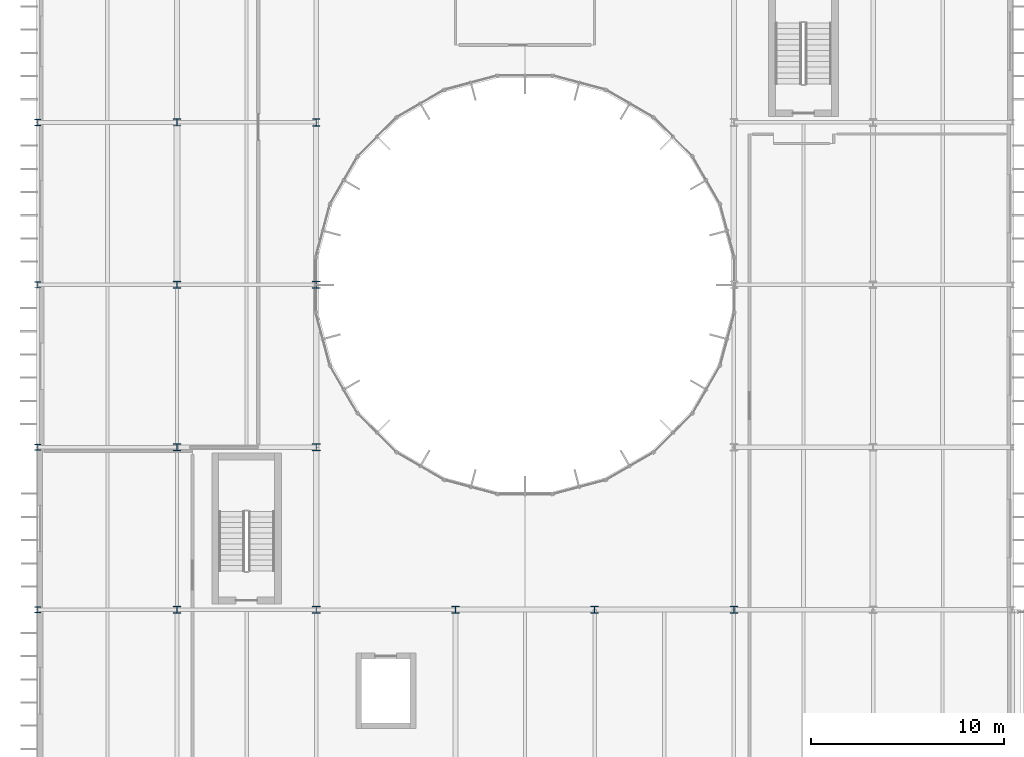
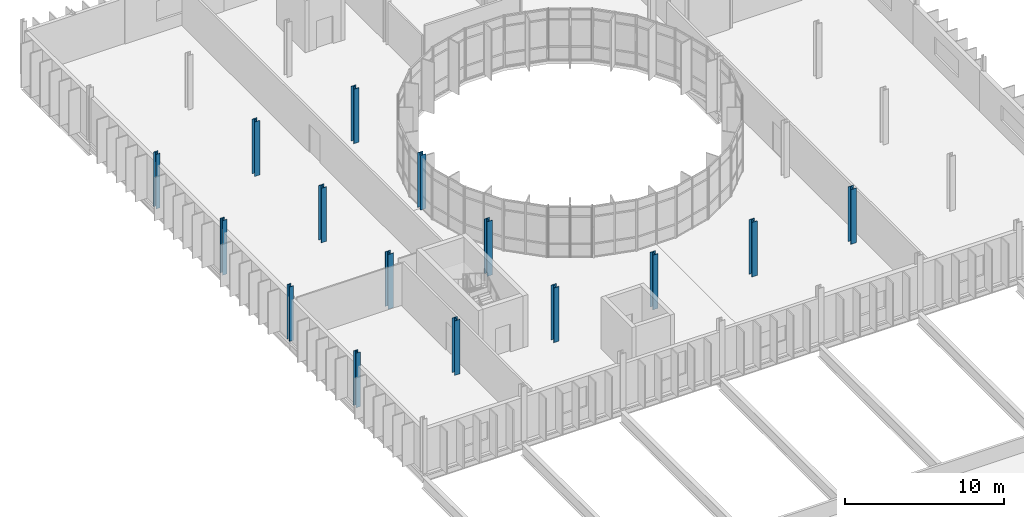
# One storey, part 13 of 119: 15 columns.
"""IFC4 building model written with IfcOpenShell, lengths in metres."""

from ifc_helpers import new_model, si_unit, direction, frame, origin, origin_2d, place, context, subcontext, project, spatial, i_section, extrude, material, material_profile, profile_set, type_object, element, save


model = new_model("IFC4")

# Units and contexts
model_context = context("Model", 3, precision=1e-05, world=origin(), true_north=direction((0.0, 1.0)))
body_context = subcontext(model_context, "Body", "Model", "MODEL_VIEW")
ifc_project = project(units=[si_unit("LENGTHUNIT", "METRE"), si_unit("AREAUNIT", "SQUARE_METRE"), si_unit("VOLUMEUNIT", "CUBIC_METRE"), si_unit("PLANEANGLEUNIT", "RADIAN"), si_unit("MASSUNIT", "GRAM", prefix="KILO")], contexts=[model_context])

# Site, building, storey
site_placement = place(None, origin())
site = spatial("IfcSite", under=ifc_project, at=site_placement, CompositionType="ELEMENT")
building_placement = place(site_placement, origin())
building = spatial("IfcBuilding", under=site, at=building_placement, Name="Qelthora Terrace Specialist Clinic", CompositionType="ELEMENT")
storey_placement = place(building_placement, frame((0.0, 0.0, 4.800048828125)))
storey = spatial("IfcBuildingStorey", under=building, at=storey_placement, Name="L01", CompositionType="ELEMENT", Elevation=4.800048828125)

# Columns
ifc_material = material(Name="Steel S355", Category="steel")
ifc_material_profile_1 = material_profile(ifc_material, i_section(OverallWidth=0.30810546875, OverallDepth=0.318115234375, WebThickness=0.01318359375, FlangeThickness=0.0205078125, FilletRadius=0.01611328125, at=origin_2d()), Name="W310X129")
ifc_profile_set_1 = profile_set([ifc_material_profile_1], Name="Steel S355")
column_type_1 = type_object("IfcColumnType", Name="COL-W310X129", PredefinedType="COLUMN", material=ifc_profile_set_1)
for number, where, z_axis, x_axis, name in (
    (1, (0.0, 67.199951171875, 0.0), (0.0, 0.0, 1.0), (1.0, 0.0, 0.0), "Column L01-009"),
    (2, (0.0, 84.0, 0.0), (0.0, 0.0, 1.0), (1.0, 0.0, 0.0), "Column L01-011"),
):
    element("IfcColumn", number, at=place(storey_placement, frame(where, z_axis=z_axis, x_axis=x_axis)), inside=storey, type_object=column_type_1, Name=name, PredefinedType="COLUMN", context=body_context, shape_type="SweptSolid", body=[
        extrude(i_section(OverallWidth=0.30810546875, OverallDepth=0.318115234375, WebThickness=0.01318359375, FlangeThickness=0.0205078125, FilletRadius=0.01611328125, at=origin_2d()), origin(), (0.0, 0.0, 1.0), 4.199951171875),
    ])
ifc_material_profile_2 = material_profile(ifc_material, i_section(OverallWidth=0.30908203125, OverallDepth=0.322998046875, WebThickness=0.013916015625, FlangeThickness=0.02294921875, FilletRadius=0.01611328125, at=origin_2d()), Name="W310X143")
ifc_profile_set_2 = profile_set([ifc_material_profile_2], Name="Steel S355")
column_type_2 = type_object("IfcColumnType", Name="COL-W310X143", PredefinedType="COLUMN", material=ifc_profile_set_2)
for number, where, z_axis, x_axis, name in (
    (3, (0.0, 75.60009765625, 0.0), (0.0, 0.0, 1.0), (1.0, 0.0, 0.0), "Column L01-010"),
    (4, (0.0, 92.39990234375, 0.0), (0.0, 0.0, 1.0), (1.0, 0.0, 0.0), "Column L01-012"),
):
    element("IfcColumn", number, at=place(storey_placement, frame(where, z_axis=z_axis, x_axis=x_axis)), inside=storey, type_object=column_type_2, Name=name, PredefinedType="COLUMN", context=body_context, shape_type="SweptSolid", body=[
        extrude(i_section(OverallWidth=0.30908203125, OverallDepth=0.322998046875, WebThickness=0.013916015625, FlangeThickness=0.02294921875, FilletRadius=0.01611328125, at=origin_2d()), origin(), (0.0, 0.0, 1.0), 4.199951171875),
    ])
ifc_material_profile_3 = material_profile(ifc_material, i_section(OverallWidth=0.37109375, OverallDepth=0.364013671875, WebThickness=0.01318359375, FlangeThickness=0.021728515625, FilletRadius=0.02001953125, at=origin_2d()), Name="W360X162")
ifc_profile_set_3 = profile_set([ifc_material_profile_3], Name="Steel S355")
column_type_3 = type_object("IfcColumnType", Name="COL-W360X162", PredefinedType="COLUMN", material=ifc_profile_set_3)
column_1_placement = place(storey_placement, frame((7.199951171875, 92.39990234375, 0.0), z_axis=(0.0, 0.0, 1.0), x_axis=(1.0, 0.0, 0.0)))
element("IfcColumn", 5, at=column_1_placement, inside=storey, type_object=column_type_3, Name="Column L01-026", PredefinedType="COLUMN", context=body_context, shape_type="SweptSolid", body=[
    extrude(i_section(OverallWidth=0.37109375, OverallDepth=0.364013671875, WebThickness=0.01318359375, FlangeThickness=0.021728515625, FilletRadius=0.02001953125, at=origin_2d()), origin(), (0.0, 0.0, 1.0), 4.199951171875),
])
ifc_material_profile_4 = material_profile(ifc_material, i_section(OverallWidth=0.373046875, OverallDepth=0.367919921875, WebThickness=0.014892578125, FlangeThickness=0.02392578125, FilletRadius=0.02001953125, at=origin_2d()), Name="W360X179")
ifc_profile_set_4 = profile_set([ifc_material_profile_4], Name="Steel S355")
column_type_4 = type_object("IfcColumnType", Name="COL-W360X179", PredefinedType="COLUMN", material=ifc_profile_set_4)
column_2_placement = place(storey_placement, frame((14.39990234375, 92.39990234375, 0.0), z_axis=(0.0, 0.0, 1.0), x_axis=(1.0, 0.0, 0.0)))
element("IfcColumn", 6, at=column_2_placement, inside=storey, type_object=column_type_4, Name="Column L01-040", PredefinedType="COLUMN", context=body_context, shape_type="SweptSolid", body=[
    extrude(i_section(OverallWidth=0.373046875, OverallDepth=0.367919921875, WebThickness=0.014892578125, FlangeThickness=0.02392578125, FilletRadius=0.02001953125, at=origin_2d()), origin(), (0.0, 0.0, 1.0), 4.199951171875),
])
ifc_material_profile_5 = material_profile(ifc_material, i_section(OverallWidth=0.39404296875, OverallDepth=0.375, WebThickness=0.017333984375, FlangeThickness=0.027587890625, FilletRadius=0.02001953125, at=origin_2d()), Name="W360X216")
ifc_profile_set_5 = profile_set([ifc_material_profile_5], Name="Steel S355")
column_type_5 = type_object("IfcColumnType", Name="COL-W360X216", PredefinedType="COLUMN", material=ifc_profile_set_5)
for number, where, z_axis, x_axis, name in (
    (7, (7.199951171875, 67.199951171875, 0.0), (0.0, 0.0, 1.0), (1.0, 0.0, 0.0), "Column L01-023"),
    (8, (7.199951171875, 84.0, 0.0), (0.0, 0.0, 1.0), (1.0, 0.0, 0.0), "Column L01-025"),
    (9, (14.39990234375, 67.199951171875, 0.0), (0.0, 0.0, 1.0), (1.0, 0.0, 0.0), "Column L01-037"),
    (10, (14.39990234375, 84.0, 0.0), (0.0, 0.0, 1.0), (1.0, 0.0, 0.0), "Column L01-039"),
    (11, (21.60009765625, 67.199951171875, 0.0), (0.0, 0.0, 1.0), (1.0, 0.0, 0.0), "Column L01-051"),
    (12, (36.0, 67.199951171875, 0.0), (0.0, 0.0, 1.0), (1.0, 0.0, 0.0), "Column L01-073"),
):
    element("IfcColumn", number, at=place(storey_placement, frame(where, z_axis=z_axis, x_axis=x_axis)), inside=storey, type_object=column_type_5, Name=name, PredefinedType="COLUMN", context=body_context, shape_type="SweptSolid", body=[
        extrude(i_section(OverallWidth=0.39404296875, OverallDepth=0.375, WebThickness=0.017333984375, FlangeThickness=0.027587890625, FilletRadius=0.02001953125, at=origin_2d()), origin(), (0.0, 0.0, 1.0), 4.199951171875),
    ])
ifc_material_profile_6 = material_profile(ifc_material, i_section(OverallWidth=0.39501953125, OverallDepth=0.3798828125, WebThickness=0.018798828125, FlangeThickness=0.0302734375, FilletRadius=0.02001953125, at=origin_2d()), Name="W360X237")
ifc_profile_set_6 = profile_set([ifc_material_profile_6], Name="Steel S355")
column_type_6 = type_object("IfcColumnType", Name="COL-W360X237", PredefinedType="COLUMN", material=ifc_profile_set_6)
for number, where, z_axis, x_axis, name in (
    (13, (7.199951171875, 75.60009765625, 0.0), (0.0, 0.0, 1.0), (1.0, 0.0, 0.0), "Column L01-024"),
    (14, (14.39990234375, 75.60009765625, 0.0), (0.0, 0.0, 1.0), (1.0, 0.0, 0.0), "Column L01-038"),
    (15, (28.800048828125, 67.199951171875, 0.0), (0.0, 0.0, 1.0), (1.0, 0.0, 0.0), "Column L01-062"),
):
    element("IfcColumn", number, at=place(storey_placement, frame(where, z_axis=z_axis, x_axis=x_axis)), inside=storey, type_object=column_type_6, Name=name, PredefinedType="COLUMN", context=body_context, shape_type="SweptSolid", body=[
        extrude(i_section(OverallWidth=0.39501953125, OverallDepth=0.3798828125, WebThickness=0.018798828125, FlangeThickness=0.0302734375, FilletRadius=0.02001953125, at=origin_2d()), origin(), (0.0, 0.0, 1.0), 4.199951171875),
    ])

save(model, "model.ifc")
